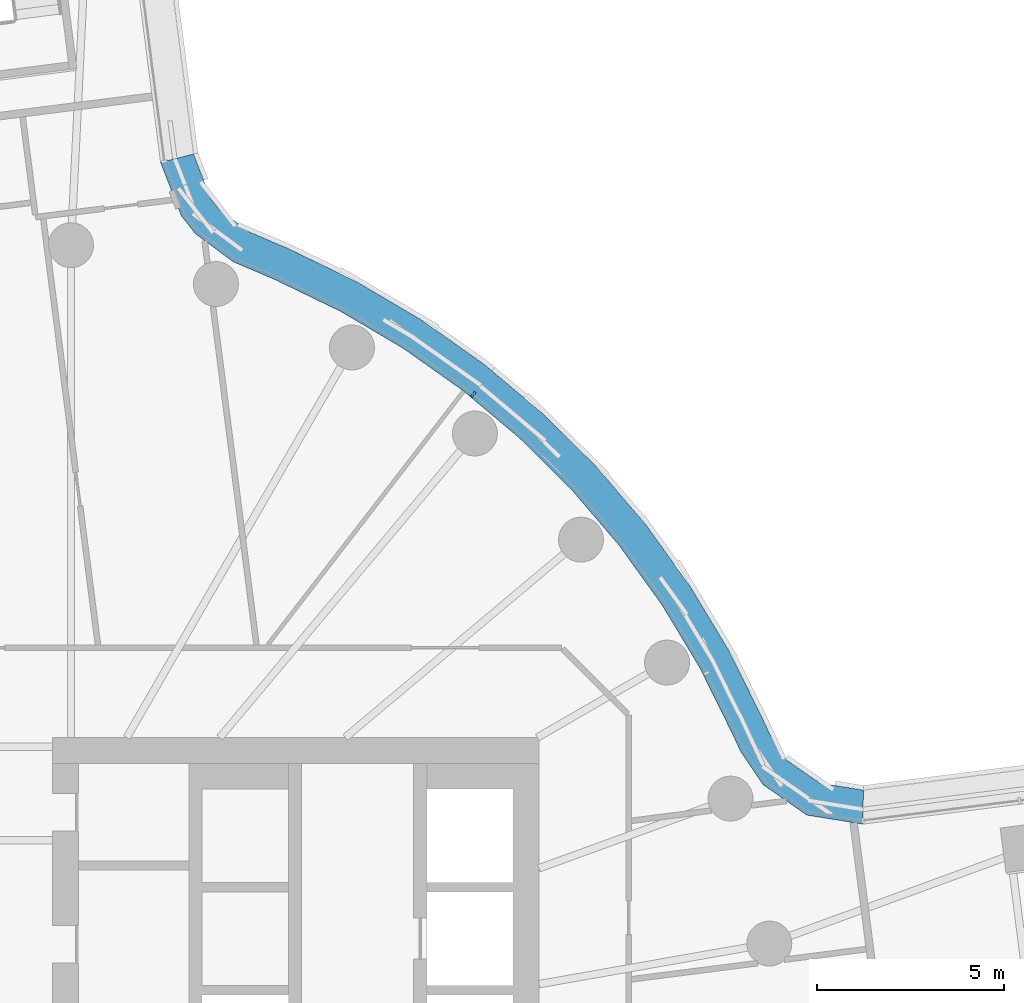
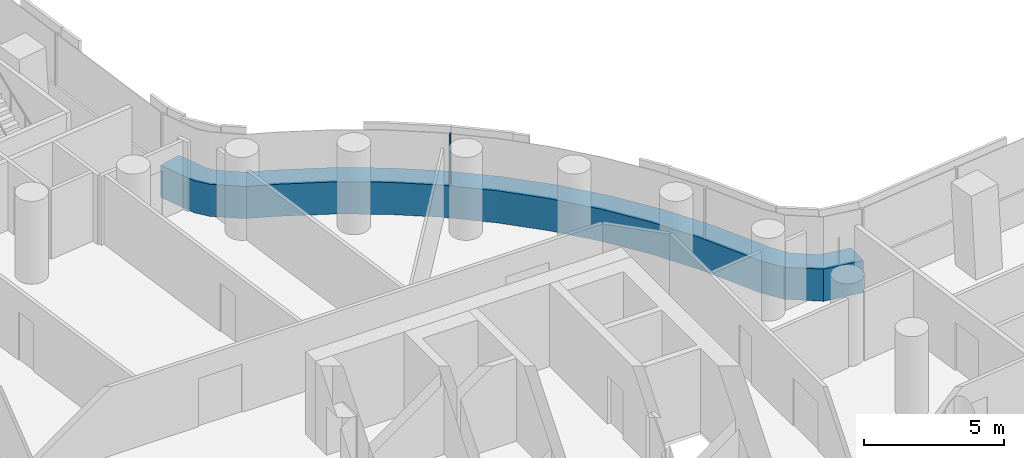
# One storey, part 16 of 31: 2 members, 1 element without a shape of its own.
"""IFC4 building model written with IfcOpenShell, lengths in metres."""

from ifc_helpers import new_model, si_unit, direction, frame, origin, origin_2d, place, context, subcontext, project, spatial, polyline, rectangle, outline, extrude, material, layer, layer_set, material_profile, profile_set, type_object, element, aggregate, save


model = new_model("IFC4")

# Units and contexts
model_context = context("Model", 3, precision=1e-05, world=origin(), true_north=direction((0.0, 1.0)))
body_context = subcontext(model_context, "Body", "Model", "MODEL_VIEW")
ifc_project = project(units=[si_unit("LENGTHUNIT", "METRE"), si_unit("AREAUNIT", "SQUARE_METRE"), si_unit("VOLUMEUNIT", "CUBIC_METRE"), si_unit("PLANEANGLEUNIT", "RADIAN"), si_unit("MASSUNIT", "GRAM", prefix="KILO")], contexts=[model_context])

# Site, building, storey
site_placement = place(None, origin())
site = spatial("IfcSite", under=ifc_project, at=site_placement, CompositionType="ELEMENT")
building_placement = place(site_placement, origin())
building = spatial("IfcBuilding", under=site, at=building_placement, Name="Tamarind Cross Interchange Tower", CompositionType="ELEMENT")
storey_placement = place(building_placement, frame((0.0, 0.0, 60.25)))
storey = spatial("IfcBuildingStorey", under=building, at=storey_placement, Name="L13", CompositionType="ELEMENT", Elevation=60.25)

# Curtain wall, members
ifc_material_1 = material(Name="Aluminium 6063-T6", Category="aluminium")
ifc_layer = layer(ifc_material_1, 0.159912109375)
ifc_layer_set = layer_set([ifc_layer], Name="Aluminium 6063-T6")
curtain_wall_type = type_object("IfcCurtainWallType", Name="Office curtain wall, 9.0 m bays", PredefinedType="NOTDEFINED", material=ifc_layer_set)
curtain_wall_placement = place(storey_placement, origin())
curtain_wall = element("IfcCurtainWall", 1, at=curtain_wall_placement, inside=storey, type_object=curtain_wall_type, Name="CWS-L13-10", PredefinedType="NOTDEFINED")
ifc_material_2 = material(Name="Aluminium and insulated spandrel panel", Category="aluminium")
member_type_1 = type_object("IfcMemberType", Name="Floor-edge blade transom", PredefinedType="USERDEFINED", material=ifc_material_2)
member_1_placement = place(storey_placement, origin())
member_1 = element("IfcMember", 2, at=member_1_placement, type_object=member_type_1, Name="CWT-L13-10", ObjectType="TRANSOM", PredefinedType="USERDEFINED", context=body_context, shape_type="SweptSolid", body=[
    extrude(outline(polyline([(25.14892578125, 7.18359375), (23.64794921875, 7.42724609375), (22.4814453125, 8.240478515625), (21.887451171875, 9.12158203125), (21.66259765625, 9.603759765625), (20.791015625, 11.367431640625), (19.78125, 13.045654296875), (18.636474609375, 14.634521484375), (17.3642578125, 16.12353515625), (15.973388671875, 17.50244140625), (14.4736328125, 18.76171875), (12.874755859375, 19.892822265625), (11.188232421875, 20.88818359375), (9.420166015625, 21.742919921875), (8.324462890625, 22.20947265625), (7.313720703125, 22.9619140625), (6.941650390625, 23.43798828125), (6.387451171875, 24.86279296875), (7.26611328125, 25.08642578125), (7.732421875, 23.8876953125), (7.9482421875, 23.611572265625), (8.77587890625, 22.99560546875), (9.792724609375, 22.5625), (11.613525390625, 21.68212890625), (13.3642578125, 20.64892578125), (15.023681640625, 19.474853515625), (16.580810546875, 18.167724609375), (18.0244140625, 16.736572265625), (19.344970703125, 15.19091796875), (20.533203125, 13.54150390625), (21.581298828125, 11.799560546875), (22.47412109375, 9.9931640625), (22.67333984375, 9.56591796875), (23.1337890625, 8.8828125), (23.994384765625, 8.28271484375), (25.16455078125, 8.0927734375), (25.14892578125, 7.18359375)])), origin(), (0.0, 0.0, 1.0), 1.39990234375),
])
ifc_material_profile = material_profile(ifc_material_1, rectangle(XDim=0.06005859375, YDim=0.159912109375, at=origin_2d()), Name="Mullion CW1")
ifc_profile_set = profile_set([ifc_material_profile], Name="Aluminium 6063-T6")
member_type_2 = type_object("IfcMemberType", Name="Mullion CW1", PredefinedType="MULLION", material=ifc_profile_set)
member_2_placement = place(storey_placement, frame((14.74365234375, 18.66552734375, 1.39990234375), z_axis=(0.0, 0.0, 1.0), x_axis=(-0.765858396687, 0.643009266048, 0.0)))
member_2 = element("IfcMember", 3, at=member_2_placement, type_object=member_type_2, Name="CWM-L13-10-02", PredefinedType="MULLION", context=body_context, shape_type="SweptSolid", body=[
    extrude(rectangle(XDim=0.06005859375, YDim=0.159912109375, at=origin_2d()), origin(), (0.0, 0.0, 1.0), 2.210205078125),
])
aggregate(curtain_wall, [member_2, member_1])

save(model, "model.ifc")
